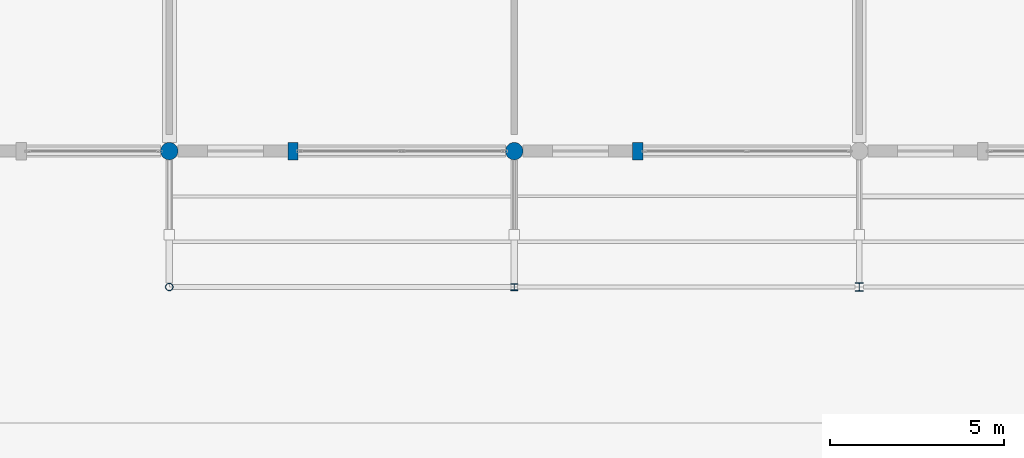
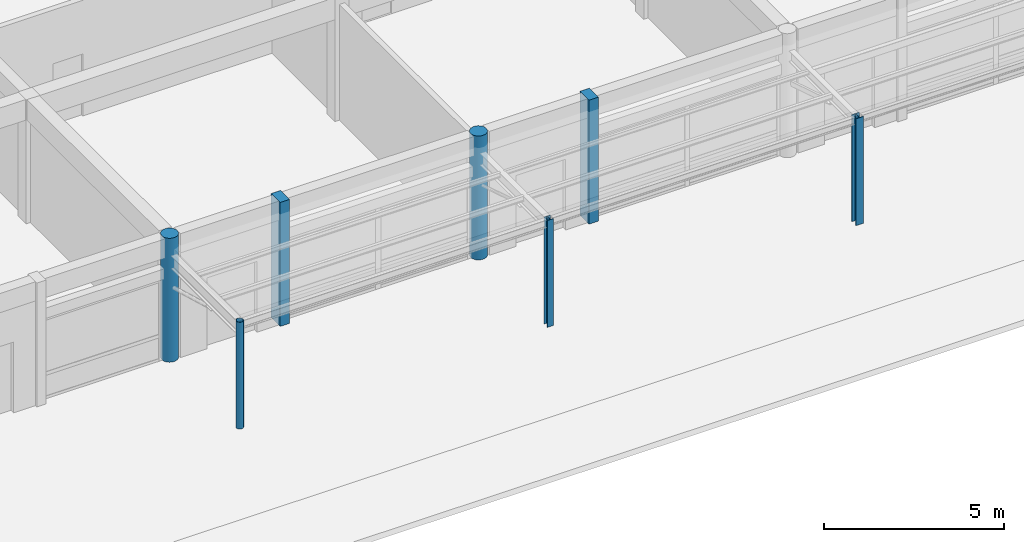
# One storey, part 2 of 75: 7 columns.
"""IFC4 building model written with IfcOpenShell, lengths in metres."""

from ifc_helpers import new_model, si_unit, direction, frame, origin, origin_2d, place, context, subcontext, project, spatial, rectangle, circle, hollow_circle, i_section, extrude, material, material_profile, profile_set, type_object, element, save


model = new_model("IFC4")

# Units and contexts
model_context = context("Model", 3, precision=1e-05, world=origin(), true_north=direction((0.0, 1.0)))
body_context = subcontext(model_context, "Body", "Model", "MODEL_VIEW")
ifc_project = project(units=[si_unit("LENGTHUNIT", "METRE"), si_unit("AREAUNIT", "SQUARE_METRE"), si_unit("VOLUMEUNIT", "CUBIC_METRE"), si_unit("PLANEANGLEUNIT", "RADIAN"), si_unit("MASSUNIT", "GRAM", prefix="KILO")], contexts=[model_context])

# Site, building, storey
site_placement = place(None, origin())
site = spatial("IfcSite", under=ifc_project, at=site_placement, CompositionType="ELEMENT")
building_placement = place(site_placement, origin())
building = spatial("IfcBuilding", under=site, at=building_placement, Name="Kernevlak Ridge Housing Community", CompositionType="ELEMENT")
storey_placement = place(building_placement, origin())
storey = spatial("IfcBuildingStorey", under=building, at=storey_placement, Name="L00", CompositionType="ELEMENT", Elevation=0.0)

# Columns
ifc_material_1 = material(Name="Concrete C35/45", Category="concrete")
ifc_material_profile_1 = material_profile(ifc_material_1, circle(Radius=0.25, at=origin_2d()), Name="RC D500")
ifc_profile_set_1 = profile_set([ifc_material_profile_1], Name="Concrete C35/45")
column_type_1 = type_object("IfcColumnType", Name="C-10", PredefinedType="COLUMN", material=ifc_profile_set_1)
for number, where, z_axis, x_axis, name in (
    (1, (64.199951171875, 7.800048828125, 0.0), (0.0, 0.0, 1.0), (1.0, 0.0, 0.0), "Column C-10 COL-POD-L00-110"),
    (2, (74.10009765625, 7.800048828125, 0.0), (0.0, 0.0, 1.0), (1.0, 0.0, 0.0), "Column C-10 COL-POD-L00-127"),
):
    element("IfcColumn", number, at=place(storey_placement, frame(where, z_axis=z_axis, x_axis=x_axis)), inside=storey, type_object=column_type_1, Name=name, PredefinedType="COLUMN", context=body_context, shape_type="SweptSolid", body=[
        extrude(circle(Radius=0.25, at=origin_2d()), origin(), (0.0, 0.0, 1.0), 4.199951171875),
    ])
ifc_material_profile_2 = material_profile(ifc_material_1, rectangle(XDim=0.300048828125, YDim=0.5, at=origin_2d()), Name="RC 300x500")
ifc_profile_set_2 = profile_set([ifc_material_profile_2], Name="Concrete C35/45")
column_type_2 = type_object("IfcColumnType", Name="C-11", PredefinedType="PILASTER", material=ifc_profile_set_2)
for number, where, z_axis, x_axis, name in (
    (3, (67.75, 7.800048828125, 0.0), (0.0, 0.0, 1.0), (1.0, 0.0, 0.0), "Column C-11 COL-PIL-L00-01"),
    (4, (77.64990234375, 7.800048828125, 0.0), (0.0, 0.0, 1.0), (1.0, 0.0, 0.0), "Column C-11 COL-PIL-L00-02"),
):
    element("IfcColumn", number, at=place(storey_placement, frame(where, z_axis=z_axis, x_axis=x_axis)), inside=storey, type_object=column_type_2, Name=name, PredefinedType="PILASTER", context=body_context, shape_type="SweptSolid", body=[
        extrude(rectangle(XDim=0.300048828125, YDim=0.5, at=origin_2d()), origin(), (0.0, 0.0, 1.0), 4.199951171875),
    ])
ifc_material_2 = material(Name="Steel S355", Category="steel")
ifc_material_profile_3 = material_profile(ifc_material_2, i_section(OverallWidth=0.239990234375, OverallDepth=0.239990234375, WebThickness=0.010009765625, FlangeThickness=0.01708984375, FilletRadius=0.02099609375, at=origin_2d()), Name="HEB 240")
ifc_profile_set_3 = profile_set([ifc_material_profile_3], Name="Steel S355")
column_type_3 = type_object("IfcColumnType", Name="SC-04", PredefinedType="COLUMN", material=ifc_profile_set_3)
column_1_placement = place(storey_placement, frame((84.0, 3.89990234375, 0.0), z_axis=(0.0, 0.0, 1.0), x_axis=(1.0, 0.0, 0.0)))
element("IfcColumn", 5, at=column_1_placement, inside=storey, type_object=column_type_3, Name="Column SC-04 COL-CAN-L00-02", PredefinedType="COLUMN", context=body_context, shape_type="SweptSolid", body=[
    extrude(i_section(OverallWidth=0.239990234375, OverallDepth=0.239990234375, WebThickness=0.010009765625, FlangeThickness=0.01708984375, FilletRadius=0.02099609375, at=origin_2d()), origin(), (0.0, 0.0, 1.0), 3.6201171875),
])
ifc_material_profile_4 = material_profile(ifc_material_2, i_section(OverallWidth=0.199951171875, OverallDepth=0.199951171875, WebThickness=0.009033203125, FlangeThickness=0.014892578125, FilletRadius=0.01806640625, at=origin_2d()), Name="HEB 200")
ifc_profile_set_4 = profile_set([ifc_material_profile_4], Name="Steel S355")
column_type_4 = type_object("IfcColumnType", Name="SC-05", PredefinedType="COLUMN", material=ifc_profile_set_4)
column_2_placement = place(storey_placement, frame((74.10009765625, 3.89990234375, 0.0), z_axis=(0.0, 0.0, 1.0), x_axis=(1.0, 0.0, 0.0)))
element("IfcColumn", 6, at=column_2_placement, inside=storey, type_object=column_type_4, Name="Column SC-05 COL-CAN-L00-01", PredefinedType="COLUMN", context=body_context, shape_type="SweptSolid", body=[
    extrude(i_section(OverallWidth=0.199951171875, OverallDepth=0.199951171875, WebThickness=0.009033203125, FlangeThickness=0.014892578125, FilletRadius=0.01806640625, at=origin_2d()), origin(), (0.0, 0.0, 1.0), 3.6201171875),
])
ifc_material_profile_5 = material_profile(ifc_material_2, hollow_circle(Radius=0.109619140625, WallThickness=0.010009765625, at=origin_2d()), Name="CHS 219.1x10")
ifc_profile_set_5 = profile_set([ifc_material_profile_5], Name="Steel S355")
column_type_5 = type_object("IfcColumnType", Name="SC-06", PredefinedType="COLUMN", material=ifc_profile_set_5)
column_3_placement = place(storey_placement, frame((64.199951171875, 3.89990234375, 0.0), z_axis=(0.0, 0.0, 1.0), x_axis=(1.0, 0.0, 0.0)))
element("IfcColumn", 7, at=column_3_placement, inside=storey, type_object=column_type_5, Name="Column SC-06 COL-CAN-L00-00", PredefinedType="COLUMN", context=body_context, shape_type="SweptSolid", body=[
    extrude(hollow_circle(Radius=0.109619140625, WallThickness=0.010009765625, at=origin_2d()), origin(), (0.0, 0.0, 1.0), 3.6201171875),
])

save(model, "model.ifc")
